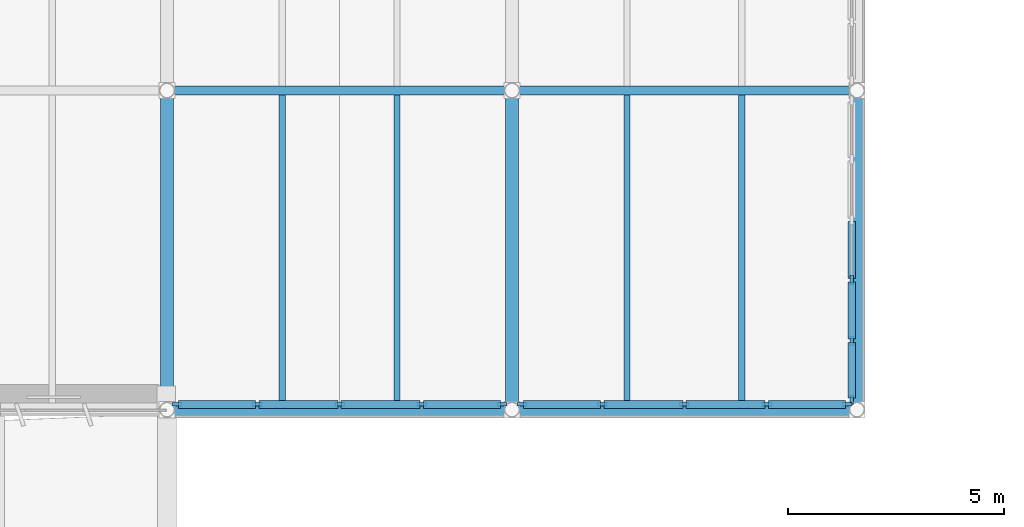
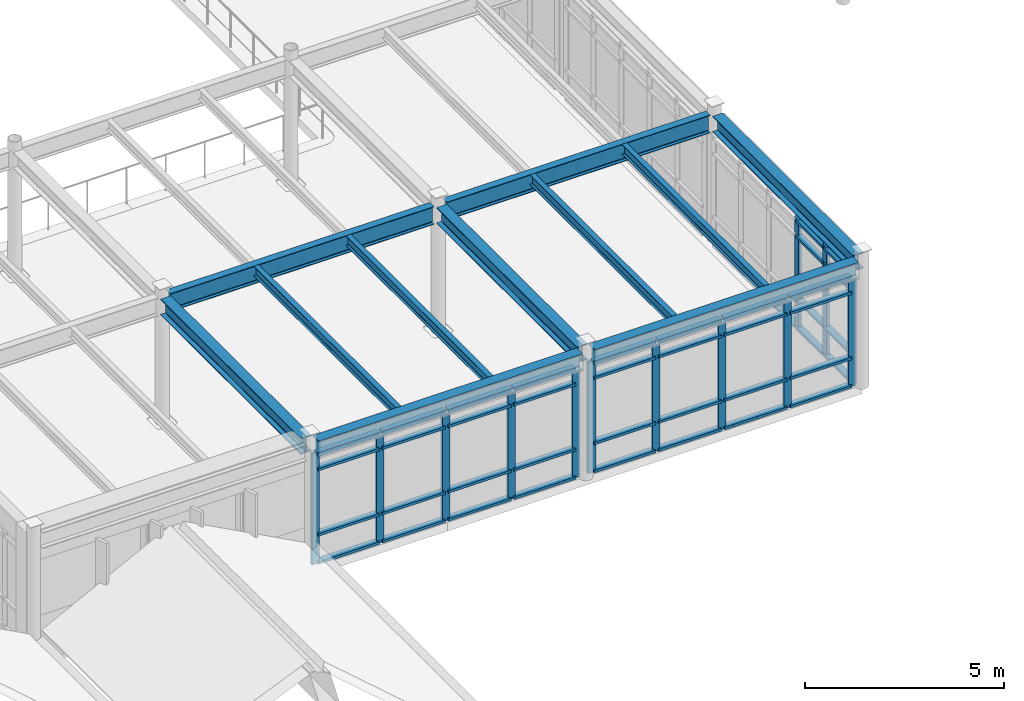
# One storey, part 21 of 63: 54 members, 11 beams, 3 elements without a shape of their own.
"""IFC4 building model written with IfcOpenShell, lengths in metres."""

from ifc_helpers import new_model, si_unit, direction, frame, origin, origin_2d, place, context, subcontext, project, spatial, rectangle, i_section, extrude, material, layer, layer_set, material_profile, profile_set, type_object, element, aggregate, save


model = new_model("IFC4")

# Units and contexts
model_context = context("Model", 3, precision=1e-05, world=origin(), true_north=direction((0.0, 1.0)))
body_context = subcontext(model_context, "Body", "Model", "MODEL_VIEW")
ifc_project = project(units=[si_unit("LENGTHUNIT", "METRE"), si_unit("AREAUNIT", "SQUARE_METRE"), si_unit("VOLUMEUNIT", "CUBIC_METRE"), si_unit("PLANEANGLEUNIT", "RADIAN"), si_unit("MASSUNIT", "GRAM", prefix="KILO")], contexts=[model_context])

# Site, building, storey
site_placement = place(None, origin())
site = spatial("IfcSite", under=ifc_project, at=site_placement, CompositionType="ELEMENT")
building_placement = place(site_placement, origin())
building = spatial("IfcBuilding", under=site, at=building_placement, Name="Valkorina Park Police Headquarters", CompositionType="ELEMENT")
storey_placement = place(building_placement, frame((0.0, 0.0, 9.89990234375)))
storey = spatial("IfcBuildingStorey", under=building, at=storey_placement, Name="L03", CompositionType="ELEMENT", Elevation=9.89990234375)

# Beams
ifc_material_1 = material(Name="Steel S355", Category="steel")
ifc_material_profile_1 = material_profile(ifc_material_1, i_section(OverallWidth=0.300048828125, OverallDepth=0.489990234375, WebThickness=0.011962890625, FlangeThickness=0.02294921875, FilletRadius=0.027099609375, at=origin_2d()), Name="HEA 500")
ifc_profile_set_1 = profile_set([ifc_material_profile_1], Name="Steel S355")
beam_type_1 = type_object("IfcBeamType", Name="BM-S355-HEA500-BM", PredefinedType="BEAM", material=ifc_profile_set_1)
for number, where, z_axis, x_axis, name in (
    (1, (64.800048828125, 22.377685546875, 3.675048828125), (0.0, 1.0, 0.0), (-1.0, 0.0, 0.0), "L03 Framing Beam 2011"),
    (2, (72.800048828125, 22.377685546875, 3.675048828125), (0.0, 1.0, 0.0), (-1.0, 0.0, 0.0), "L03 Framing Beam 2026"),
):
    element("IfcBeam", number, at=place(storey_placement, frame(where, z_axis=z_axis, x_axis=x_axis)), inside=storey, type_object=beam_type_1, Name=name, PredefinedType="BEAM", context=body_context, shape_type="SweptSolid", body=[
        extrude(i_section(OverallWidth=0.300048828125, OverallDepth=0.489990234375, WebThickness=0.011962890625, FlangeThickness=0.02294921875, FilletRadius=0.027099609375, at=origin_2d()), origin(), (0.0, 0.0, 1.0), 7.04443359375),
    ])
ifc_material_profile_2 = material_profile(ifc_material_1, i_section(OverallWidth=0.300048828125, OverallDepth=0.489990234375, WebThickness=0.011962890625, FlangeThickness=0.02294921875, FilletRadius=0.027099609375, at=origin_2d()), Name="HEA 500")
ifc_profile_set_2 = profile_set([ifc_material_profile_2], Name="Steel S355")
beam_type_2 = type_object("IfcBeamType", Name="BM-S355-HEA500-SPN", PredefinedType="SPANDREL", material=ifc_profile_set_2)
for number, where, z_axis, x_axis, name in (
    (3, (64.977783203125, 22.199951171875, 3.675048828125), (1.0, 0.0, 0.0), (0.0, 1.0, 0.0), "L03 Framing Beam 1844"),
    (4, (72.977783203125, 22.199951171875, 3.675048828125), (1.0, 0.0, 0.0), (0.0, 1.0, 0.0), "L03 Framing Beam 1845"),
):
    element("IfcBeam", number, at=place(storey_placement, frame(where, z_axis=z_axis, x_axis=x_axis)), inside=storey, type_object=beam_type_2, Name=name, PredefinedType="SPANDREL", context=body_context, shape_type="SweptSolid", body=[
        extrude(i_section(OverallWidth=0.300048828125, OverallDepth=0.489990234375, WebThickness=0.011962890625, FlangeThickness=0.02294921875, FilletRadius=0.027099609375, at=origin_2d()), origin(), (0.0, 0.0, 1.0), 7.64453125),
    ])
beam_placement = place(storey_placement, frame((80.800048828125, 22.377685546875, 3.675048828125), z_axis=(0.0, 1.0, 0.0), x_axis=(-1.0, 0.0, 0.0)))
element("IfcBeam", 5, at=beam_placement, inside=storey, type_object=beam_type_2, Name="L03 Framing Beam 2041", PredefinedType="SPANDREL", context=body_context, shape_type="SweptSolid", body=[
    extrude(i_section(OverallWidth=0.300048828125, OverallDepth=0.489990234375, WebThickness=0.011962890625, FlangeThickness=0.02294921875, FilletRadius=0.027099609375, at=origin_2d()), origin(), (0.0, 0.0, 1.0), 7.04443359375),
])
ifc_material_profile_3 = material_profile(ifc_material_1, i_section(OverallWidth=0.14990234375, OverallDepth=0.300048828125, WebThickness=0.007080078125, FlangeThickness=0.0107421875, FilletRadius=0.014892578125, at=origin_2d()), Name="IPE 300")
ifc_profile_set_3 = profile_set([ifc_material_profile_3], Name="Steel S355")
beam_type_3 = type_object("IfcBeamType", Name="BM-S355-IPE300-JST", PredefinedType="JOIST", material=ifc_profile_set_3)
for number, where, z_axis, x_axis, name in (
    (6, (67.466796875, 22.35009765625, 3.77001953125), (0.0, 1.0, 0.0), (-1.0, 0.0, 0.0), "L03 Framing Beam 2012"),
    (7, (70.13330078125, 22.35009765625, 3.77001953125), (0.0, 1.0, 0.0), (-1.0, 0.0, 0.0), "L03 Framing Beam 2013"),
    (8, (75.466796875, 22.35009765625, 3.77001953125), (0.0, 1.0, 0.0), (-1.0, 0.0, 0.0), "L03 Framing Beam 2027"),
    (9, (78.13330078125, 22.35009765625, 3.77001953125), (0.0, 1.0, 0.0), (-1.0, 0.0, 0.0), "L03 Framing Beam 2028"),
):
    element("IfcBeam", number, at=place(storey_placement, frame(where, z_axis=z_axis, x_axis=x_axis)), inside=storey, type_object=beam_type_3, Name=name, PredefinedType="JOIST", context=body_context, shape_type="SweptSolid", body=[
        extrude(i_section(OverallWidth=0.14990234375, OverallDepth=0.300048828125, WebThickness=0.007080078125, FlangeThickness=0.0107421875, FilletRadius=0.014892578125, at=origin_2d()), origin(), (0.0, 0.0, 1.0), 7.14501953125),
    ])
ifc_material_profile_4 = material_profile(ifc_material_1, i_section(OverallWidth=0.2099609375, OverallDepth=0.550048828125, WebThickness=0.010986328125, FlangeThickness=0.01708984375, FilletRadius=0.02392578125, at=origin_2d()), Name="IPE 550")
ifc_profile_set_4 = profile_set([ifc_material_profile_4], Name="Steel S355")
beam_type_4 = type_object("IfcBeamType", Name="BM-S355-IPE550-BM", PredefinedType="BEAM", material=ifc_profile_set_4)
for number, where, z_axis, x_axis, name in (
    (10, (64.977783203125, 29.60009765625, 3.64501953125), (1.0, 0.0, 0.0), (0.0, 1.0, 0.0), "L03 Framing Beam 1847"),
    (11, (72.977783203125, 29.60009765625, 3.64501953125), (1.0, 0.0, 0.0), (0.0, 1.0, 0.0), "L03 Framing Beam 1848"),
):
    element("IfcBeam", number, at=place(storey_placement, frame(where, z_axis=z_axis, x_axis=x_axis)), inside=storey, type_object=beam_type_4, Name=name, PredefinedType="BEAM", context=body_context, shape_type="SweptSolid", body=[
        extrude(i_section(OverallWidth=0.2099609375, OverallDepth=0.550048828125, WebThickness=0.010986328125, FlangeThickness=0.01708984375, FilletRadius=0.02392578125, at=origin_2d()), origin(), (0.0, 0.0, 1.0), 7.64453125),
    ])

# Curtain wall, members
ifc_material_2 = material(Name="Thermally broken aluminium AW-6060", Category="aluminium")
ifc_layer_1 = layer(ifc_material_2, 0.18994140625)
ifc_layer_set_1 = layer_set([ifc_layer_1], Name="Thermally broken aluminium AW-6060")
curtain_wall_type_1 = type_object("IfcCurtainWallType", Name="CW-V4-7020x3360", PredefinedType="NOTDEFINED", material=ifc_layer_set_1)
curtain_wall_1_placement = place(storey_placement, origin())
curtain_wall_1 = element("IfcCurtainWall", 12, at=curtain_wall_1_placement, inside=storey, type_object=curtain_wall_type_1, Name="L03 Unitised Curtain Wall 024", PredefinedType="NOTDEFINED")
ifc_material_profile_5 = material_profile(ifc_material_2, rectangle(XDim=0.080078125, YDim=0.219970703125, at=origin_2d()), Name="CWM-03 80x220")
ifc_profile_set_5 = profile_set([ifc_material_profile_5], Name="Thermally broken aluminium AW-6060")
member_type_1 = type_object("IfcMemberType", Name="CWM-80x220", PredefinedType="MULLION", material=ifc_profile_set_5)
member_1_placement = place(storey_placement, frame((80.679931640625, 25.197509765625, 0.0), z_axis=(0.0, 0.0, 1.0), x_axis=(1.0, 0.0, 0.0)))
member_1 = element("IfcMember", 13, at=member_1_placement, type_object=member_type_1, Name="CW-V4-702-336 mullion 4", PredefinedType="MULLION", context=body_context, shape_type="SweptSolid", body=[
    extrude(rectangle(XDim=0.080078125, YDim=0.219970703125, at=origin_2d()), origin(), (0.0, 0.0, 1.0), 3.360107421875),
])
member_2_placement = place(storey_placement, frame((80.679931640625, 23.792724609375, 0.0), z_axis=(0.0, 0.0, 1.0), x_axis=(1.0, 0.0, 0.0)))
member_2 = element("IfcMember", 14, at=member_2_placement, type_object=member_type_1, Name="CW-V4-702-336 mullion 5", PredefinedType="MULLION", context=body_context, shape_type="SweptSolid", body=[
    extrude(rectangle(XDim=0.080078125, YDim=0.219970703125, at=origin_2d()), origin(), (0.0, 0.0, 1.0), 3.360107421875),
])
member_3_placement = place(storey_placement, frame((80.679931640625, 22.427734375, 0.0), z_axis=(0.0, 0.0, 1.0), x_axis=(1.0, 0.0, 0.0)))
member_3 = element("IfcMember", 15, at=member_3_placement, type_object=member_type_1, Name="CW-V4-702-336 mullion 6", PredefinedType="MULLION", context=body_context, shape_type="SweptSolid", body=[
    extrude(rectangle(XDim=0.080078125, YDim=0.219970703125, at=origin_2d()), origin(), (0.0, 0.0, 1.0), 3.360107421875),
])

ifc_layer_2 = layer(ifc_material_2, 0.18994140625)
ifc_layer_set_2 = layer_set([ifc_layer_2], Name="Thermally broken aluminium AW-6060")
curtain_wall_type_2 = type_object("IfcCurtainWallType", Name="CW-V4-7620x3420", PredefinedType="NOTDEFINED", material=ifc_layer_set_2)
curtain_wall_2_placement = place(storey_placement, origin())
curtain_wall_2 = element("IfcCurtainWall", 16, at=curtain_wall_2_placement, inside=storey, type_object=curtain_wall_type_2, Name="L03 Unitised Curtain Wall 025", PredefinedType="NOTDEFINED")
member_4_placement = place(storey_placement, frame((80.572265625, 22.320068359375, 0.0), z_axis=(0.0, 0.0, 1.0), x_axis=(0.0, -1.0, 0.0)))
member_4 = element("IfcMember", 17, at=member_4_placement, type_object=member_type_1, Name="CW-V4-762-342 mullion 1", PredefinedType="MULLION", context=body_context, shape_type="SweptSolid", body=[
    extrude(rectangle(XDim=0.080078125, YDim=0.219970703125, at=origin_2d()), origin(), (0.0, 0.0, 1.0), 3.420166015625),
])
member_5_placement = place(storey_placement, frame((78.7060546875, 22.320068359375, 0.0), z_axis=(0.0, 0.0, 1.0), x_axis=(0.0, -1.0, 0.0)))
member_5 = element("IfcMember", 18, at=member_5_placement, type_object=member_type_1, Name="CW-V4-762-342 mullion 2", PredefinedType="MULLION", context=body_context, shape_type="SweptSolid", body=[
    extrude(rectangle(XDim=0.080078125, YDim=0.219970703125, at=origin_2d()), origin(), (0.0, 0.0, 1.0), 3.420166015625),
])
member_6_placement = place(storey_placement, frame((76.800048828125, 22.320068359375, 0.0), z_axis=(0.0, 0.0, 1.0), x_axis=(0.0, -1.0, 0.0)))
member_6 = element("IfcMember", 19, at=member_6_placement, type_object=member_type_1, Name="CW-V4-762-342 mullion 3", PredefinedType="MULLION", context=body_context, shape_type="SweptSolid", body=[
    extrude(rectangle(XDim=0.080078125, YDim=0.219970703125, at=origin_2d()), origin(), (0.0, 0.0, 1.0), 3.420166015625),
])
member_7_placement = place(storey_placement, frame((74.893798828125, 22.320068359375, 0.0), z_axis=(0.0, 0.0, 1.0), x_axis=(0.0, -1.0, 0.0)))
member_7 = element("IfcMember", 20, at=member_7_placement, type_object=member_type_1, Name="CW-V4-762-342 mullion 4", PredefinedType="MULLION", context=body_context, shape_type="SweptSolid", body=[
    extrude(rectangle(XDim=0.080078125, YDim=0.219970703125, at=origin_2d()), origin(), (0.0, 0.0, 1.0), 3.420166015625),
])
member_8_placement = place(storey_placement, frame((73.02783203125, 22.320068359375, 0.0), z_axis=(0.0, 0.0, 1.0), x_axis=(0.0, -1.0, 0.0)))
member_8 = element("IfcMember", 21, at=member_8_placement, type_object=member_type_1, Name="CW-V4-762-342 mullion 5", PredefinedType="MULLION", context=body_context, shape_type="SweptSolid", body=[
    extrude(rectangle(XDim=0.080078125, YDim=0.219970703125, at=origin_2d()), origin(), (0.0, 0.0, 1.0), 3.420166015625),
])

curtain_wall_3_placement = place(storey_placement, origin())
curtain_wall_3 = element("IfcCurtainWall", 22, at=curtain_wall_3_placement, inside=storey, type_object=curtain_wall_type_2, Name="L03 Unitised Curtain Wall 026", PredefinedType="NOTDEFINED")
member_9_placement = place(storey_placement, frame((72.572265625, 22.320068359375, 0.0), z_axis=(0.0, 0.0, 1.0), x_axis=(0.0, -1.0, 0.0)))
member_9 = element("IfcMember", 23, at=member_9_placement, type_object=member_type_1, Name="CW-V4-762-342 mullion 1", PredefinedType="MULLION", context=body_context, shape_type="SweptSolid", body=[
    extrude(rectangle(XDim=0.080078125, YDim=0.219970703125, at=origin_2d()), origin(), (0.0, 0.0, 1.0), 3.420166015625),
])
member_10_placement = place(storey_placement, frame((70.7060546875, 22.320068359375, 0.0), z_axis=(0.0, 0.0, 1.0), x_axis=(0.0, -1.0, 0.0)))
member_10 = element("IfcMember", 24, at=member_10_placement, type_object=member_type_1, Name="CW-V4-762-342 mullion 2", PredefinedType="MULLION", context=body_context, shape_type="SweptSolid", body=[
    extrude(rectangle(XDim=0.080078125, YDim=0.219970703125, at=origin_2d()), origin(), (0.0, 0.0, 1.0), 3.420166015625),
])
member_11_placement = place(storey_placement, frame((68.800048828125, 22.320068359375, 0.0), z_axis=(0.0, 0.0, 1.0), x_axis=(0.0, -1.0, 0.0)))
member_11 = element("IfcMember", 25, at=member_11_placement, type_object=member_type_1, Name="CW-V4-762-342 mullion 3", PredefinedType="MULLION", context=body_context, shape_type="SweptSolid", body=[
    extrude(rectangle(XDim=0.080078125, YDim=0.219970703125, at=origin_2d()), origin(), (0.0, 0.0, 1.0), 3.420166015625),
])
member_12_placement = place(storey_placement, frame((66.893798828125, 22.320068359375, 0.0), z_axis=(0.0, 0.0, 1.0), x_axis=(0.0, -1.0, 0.0)))
member_12 = element("IfcMember", 26, at=member_12_placement, type_object=member_type_1, Name="CW-V4-762-342 mullion 4", PredefinedType="MULLION", context=body_context, shape_type="SweptSolid", body=[
    extrude(rectangle(XDim=0.080078125, YDim=0.219970703125, at=origin_2d()), origin(), (0.0, 0.0, 1.0), 3.420166015625),
])
member_13_placement = place(storey_placement, frame((65.02783203125, 22.320068359375, 0.0), z_axis=(0.0, 0.0, 1.0), x_axis=(0.0, -1.0, 0.0)))
member_13 = element("IfcMember", 27, at=member_13_placement, type_object=member_type_1, Name="CW-V4-762-342 mullion 5", PredefinedType="MULLION", context=body_context, shape_type="SweptSolid", body=[
    extrude(rectangle(XDim=0.080078125, YDim=0.219970703125, at=origin_2d()), origin(), (0.0, 0.0, 1.0), 3.420166015625),
])

# Member
ifc_material_profile_6 = material_profile(ifc_material_2, rectangle(XDim=0.179931640625, YDim=0.080078125, at=origin_2d()), Name="CWT-03 180x80")
ifc_profile_set_6 = profile_set([ifc_material_profile_6], Name="Thermally broken aluminium AW-6060")
member_type_2 = type_object("IfcMemberType", Name="CWT-180x80", PredefinedType="USERDEFINED", material=ifc_profile_set_6)
member_14_placement = place(storey_placement, frame((80.679931640625, 26.5625, 0.0400390625), z_axis=(0.0, -1.0, 0.0), x_axis=(1.0, 0.0, 0.0)))
member_14 = element("IfcMember", 28, at=member_14_placement, type_object=member_type_2, Name="CW-V4-702-336 transom 3.1", ObjectType="TRANSOM", PredefinedType="USERDEFINED", context=body_context, shape_type="SweptSolid", body=[
    extrude(rectangle(XDim=0.179931640625, YDim=0.080078125, at=origin_2d()), origin(), (0.0, 0.0, 1.0), 1.324951171875),
])

member_15_placement = place(storey_placement, frame((80.679931640625, 25.157470703125, 0.0400390625), z_axis=(0.0, -1.0, 0.0), x_axis=(1.0, 0.0, 0.0)))
member_15 = element("IfcMember", 29, at=member_15_placement, type_object=member_type_2, Name="CW-V4-702-336 transom 4.1", ObjectType="TRANSOM", PredefinedType="USERDEFINED", context=body_context, shape_type="SweptSolid", body=[
    extrude(rectangle(XDim=0.179931640625, YDim=0.080078125, at=origin_2d()), origin(), (0.0, 0.0, 1.0), 1.32470703125),
])

member_16_placement = place(storey_placement, frame((80.679931640625, 25.157470703125, 0.900146484375), z_axis=(0.0, -1.0, 0.0), x_axis=(1.0, 0.0, 0.0)))
member_16 = element("IfcMember", 30, at=member_16_placement, type_object=member_type_2, Name="CW-V4-702-336 transom 4.2", ObjectType="TRANSOM", PredefinedType="USERDEFINED", context=body_context, shape_type="SweptSolid", body=[
    extrude(rectangle(XDim=0.179931640625, YDim=0.080078125, at=origin_2d()), origin(), (0.0, 0.0, 1.0), 1.32470703125),
])

member_17_placement = place(storey_placement, frame((80.679931640625, 25.157470703125, 2.840087890625), z_axis=(0.0, -1.0, 0.0), x_axis=(1.0, 0.0, 0.0)))
member_17 = element("IfcMember", 31, at=member_17_placement, type_object=member_type_2, Name="CW-V4-702-336 transom 4.3", ObjectType="TRANSOM", PredefinedType="USERDEFINED", context=body_context, shape_type="SweptSolid", body=[
    extrude(rectangle(XDim=0.179931640625, YDim=0.080078125, at=origin_2d()), origin(), (0.0, 0.0, 1.0), 1.32470703125),
])

member_18_placement = place(storey_placement, frame((80.679931640625, 25.157470703125, 3.320068359375), z_axis=(0.0, -1.0, 0.0), x_axis=(1.0, 0.0, 0.0)))
member_18 = element("IfcMember", 32, at=member_18_placement, type_object=member_type_2, Name="CW-V4-702-336 transom 4.4", ObjectType="TRANSOM", PredefinedType="USERDEFINED", context=body_context, shape_type="SweptSolid", body=[
    extrude(rectangle(XDim=0.179931640625, YDim=0.080078125, at=origin_2d()), origin(), (0.0, 0.0, 1.0), 1.32470703125),
])

member_19_placement = place(storey_placement, frame((80.679931640625, 23.752685546875, 0.0400390625), z_axis=(0.0, -1.0, 0.0), x_axis=(1.0, 0.0, 0.0)))
member_19 = element("IfcMember", 33, at=member_19_placement, type_object=member_type_2, Name="CW-V4-702-336 transom 5.1", ObjectType="TRANSOM", PredefinedType="USERDEFINED", context=body_context, shape_type="SweptSolid", body=[
    extrude(rectangle(XDim=0.179931640625, YDim=0.080078125, at=origin_2d()), origin(), (0.0, 0.0, 1.0), 1.284912109375),
])

member_20_placement = place(storey_placement, frame((80.679931640625, 23.752685546875, 0.900146484375), z_axis=(0.0, -1.0, 0.0), x_axis=(1.0, 0.0, 0.0)))
member_20 = element("IfcMember", 34, at=member_20_placement, type_object=member_type_2, Name="CW-V4-702-336 transom 5.2", ObjectType="TRANSOM", PredefinedType="USERDEFINED", context=body_context, shape_type="SweptSolid", body=[
    extrude(rectangle(XDim=0.179931640625, YDim=0.080078125, at=origin_2d()), origin(), (0.0, 0.0, 1.0), 1.284912109375),
])

member_21_placement = place(storey_placement, frame((80.679931640625, 23.752685546875, 2.840087890625), z_axis=(0.0, -1.0, 0.0), x_axis=(1.0, 0.0, 0.0)))
member_21 = element("IfcMember", 35, at=member_21_placement, type_object=member_type_2, Name="CW-V4-702-336 transom 5.3", ObjectType="TRANSOM", PredefinedType="USERDEFINED", context=body_context, shape_type="SweptSolid", body=[
    extrude(rectangle(XDim=0.179931640625, YDim=0.080078125, at=origin_2d()), origin(), (0.0, 0.0, 1.0), 1.284912109375),
])

member_22_placement = place(storey_placement, frame((80.679931640625, 23.752685546875, 3.320068359375), z_axis=(0.0, -1.0, 0.0), x_axis=(1.0, 0.0, 0.0)))
member_22 = element("IfcMember", 36, at=member_22_placement, type_object=member_type_2, Name="CW-V4-702-336 transom 5.4", ObjectType="TRANSOM", PredefinedType="USERDEFINED", context=body_context, shape_type="SweptSolid", body=[
    extrude(rectangle(XDim=0.179931640625, YDim=0.080078125, at=origin_2d()), origin(), (0.0, 0.0, 1.0), 1.284912109375),
])

aggregate(curtain_wall_1, [member_1, member_2, member_3, member_14, member_15, member_16, member_17, member_18, member_19, member_20, member_21, member_22])

member_23_placement = place(storey_placement, frame((80.5322265625, 22.320068359375, 0.0400390625), z_axis=(-1.0, 0.0, 0.0), x_axis=(0.0, -1.0, 0.0)))
member_23 = element("IfcMember", 37, at=member_23_placement, type_object=member_type_2, Name="CW-V4-762-342 transom 1.1", ObjectType="TRANSOM", PredefinedType="USERDEFINED", context=body_context, shape_type="SweptSolid", body=[
    extrude(rectangle(XDim=0.179931640625, YDim=0.080078125, at=origin_2d()), origin(), (0.0, 0.0, 1.0), 1.7861328125),
])

member_24_placement = place(storey_placement, frame((80.5322265625, 22.320068359375, 0.900146484375), z_axis=(-1.0, 0.0, 0.0), x_axis=(0.0, -1.0, 0.0)))
member_24 = element("IfcMember", 38, at=member_24_placement, type_object=member_type_2, Name="CW-V4-762-342 transom 1.2", ObjectType="TRANSOM", PredefinedType="USERDEFINED", context=body_context, shape_type="SweptSolid", body=[
    extrude(rectangle(XDim=0.179931640625, YDim=0.080078125, at=origin_2d()), origin(), (0.0, 0.0, 1.0), 1.7861328125),
])

member_25_placement = place(storey_placement, frame((80.5322265625, 22.320068359375, 2.900146484375), z_axis=(-1.0, 0.0, 0.0), x_axis=(0.0, -1.0, 0.0)))
member_25 = element("IfcMember", 39, at=member_25_placement, type_object=member_type_2, Name="CW-V4-762-342 transom 1.3", ObjectType="TRANSOM", PredefinedType="USERDEFINED", context=body_context, shape_type="SweptSolid", body=[
    extrude(rectangle(XDim=0.179931640625, YDim=0.080078125, at=origin_2d()), origin(), (0.0, 0.0, 1.0), 1.7861328125),
])

member_26_placement = place(storey_placement, frame((80.5322265625, 22.320068359375, 3.380126953125), z_axis=(-1.0, 0.0, 0.0), x_axis=(0.0, -1.0, 0.0)))
member_26 = element("IfcMember", 40, at=member_26_placement, type_object=member_type_2, Name="CW-V4-762-342 transom 1.4", ObjectType="TRANSOM", PredefinedType="USERDEFINED", context=body_context, shape_type="SweptSolid", body=[
    extrude(rectangle(XDim=0.179931640625, YDim=0.080078125, at=origin_2d()), origin(), (0.0, 0.0, 1.0), 1.7861328125),
])

member_27_placement = place(storey_placement, frame((78.666015625, 22.320068359375, 0.0400390625), z_axis=(-1.0, 0.0, 0.0), x_axis=(0.0, -1.0, 0.0)))
member_27 = element("IfcMember", 41, at=member_27_placement, type_object=member_type_2, Name="CW-V4-762-342 transom 2.1", ObjectType="TRANSOM", PredefinedType="USERDEFINED", context=body_context, shape_type="SweptSolid", body=[
    extrude(rectangle(XDim=0.179931640625, YDim=0.080078125, at=origin_2d()), origin(), (0.0, 0.0, 1.0), 1.825927734375),
])

member_28_placement = place(storey_placement, frame((78.666015625, 22.320068359375, 0.900146484375), z_axis=(-1.0, 0.0, 0.0), x_axis=(0.0, -1.0, 0.0)))
member_28 = element("IfcMember", 42, at=member_28_placement, type_object=member_type_2, Name="CW-V4-762-342 transom 2.2", ObjectType="TRANSOM", PredefinedType="USERDEFINED", context=body_context, shape_type="SweptSolid", body=[
    extrude(rectangle(XDim=0.179931640625, YDim=0.080078125, at=origin_2d()), origin(), (0.0, 0.0, 1.0), 1.825927734375),
])

member_29_placement = place(storey_placement, frame((78.666015625, 22.320068359375, 2.900146484375), z_axis=(-1.0, 0.0, 0.0), x_axis=(0.0, -1.0, 0.0)))
member_29 = element("IfcMember", 43, at=member_29_placement, type_object=member_type_2, Name="CW-V4-762-342 transom 2.3", ObjectType="TRANSOM", PredefinedType="USERDEFINED", context=body_context, shape_type="SweptSolid", body=[
    extrude(rectangle(XDim=0.179931640625, YDim=0.080078125, at=origin_2d()), origin(), (0.0, 0.0, 1.0), 1.825927734375),
])

member_30_placement = place(storey_placement, frame((78.666015625, 22.320068359375, 3.380126953125), z_axis=(-1.0, 0.0, 0.0), x_axis=(0.0, -1.0, 0.0)))
member_30 = element("IfcMember", 44, at=member_30_placement, type_object=member_type_2, Name="CW-V4-762-342 transom 2.4", ObjectType="TRANSOM", PredefinedType="USERDEFINED", context=body_context, shape_type="SweptSolid", body=[
    extrude(rectangle(XDim=0.179931640625, YDim=0.080078125, at=origin_2d()), origin(), (0.0, 0.0, 1.0), 1.825927734375),
])

member_31_placement = place(storey_placement, frame((76.760009765625, 22.320068359375, 0.0400390625), z_axis=(-1.0, 0.0, 0.0), x_axis=(0.0, -1.0, 0.0)))
member_31 = element("IfcMember", 45, at=member_31_placement, type_object=member_type_2, Name="CW-V4-762-342 transom 3.1", ObjectType="TRANSOM", PredefinedType="USERDEFINED", context=body_context, shape_type="SweptSolid", body=[
    extrude(rectangle(XDim=0.179931640625, YDim=0.080078125, at=origin_2d()), origin(), (0.0, 0.0, 1.0), 1.826171875),
])

member_32_placement = place(storey_placement, frame((76.760009765625, 22.320068359375, 0.900146484375), z_axis=(-1.0, 0.0, 0.0), x_axis=(0.0, -1.0, 0.0)))
member_32 = element("IfcMember", 46, at=member_32_placement, type_object=member_type_2, Name="CW-V4-762-342 transom 3.2", ObjectType="TRANSOM", PredefinedType="USERDEFINED", context=body_context, shape_type="SweptSolid", body=[
    extrude(rectangle(XDim=0.179931640625, YDim=0.080078125, at=origin_2d()), origin(), (0.0, 0.0, 1.0), 1.826171875),
])

member_33_placement = place(storey_placement, frame((76.760009765625, 22.320068359375, 2.900146484375), z_axis=(-1.0, 0.0, 0.0), x_axis=(0.0, -1.0, 0.0)))
member_33 = element("IfcMember", 47, at=member_33_placement, type_object=member_type_2, Name="CW-V4-762-342 transom 3.3", ObjectType="TRANSOM", PredefinedType="USERDEFINED", context=body_context, shape_type="SweptSolid", body=[
    extrude(rectangle(XDim=0.179931640625, YDim=0.080078125, at=origin_2d()), origin(), (0.0, 0.0, 1.0), 1.826171875),
])

member_34_placement = place(storey_placement, frame((76.760009765625, 22.320068359375, 3.380126953125), z_axis=(-1.0, 0.0, 0.0), x_axis=(0.0, -1.0, 0.0)))
member_34 = element("IfcMember", 48, at=member_34_placement, type_object=member_type_2, Name="CW-V4-762-342 transom 3.4", ObjectType="TRANSOM", PredefinedType="USERDEFINED", context=body_context, shape_type="SweptSolid", body=[
    extrude(rectangle(XDim=0.179931640625, YDim=0.080078125, at=origin_2d()), origin(), (0.0, 0.0, 1.0), 1.826171875),
])

member_35_placement = place(storey_placement, frame((74.85400390625, 22.320068359375, 0.0400390625), z_axis=(-1.0, 0.0, 0.0), x_axis=(0.0, -1.0, 0.0)))
member_35 = element("IfcMember", 49, at=member_35_placement, type_object=member_type_2, Name="CW-V4-762-342 transom 4.1", ObjectType="TRANSOM", PredefinedType="USERDEFINED", context=body_context, shape_type="SweptSolid", body=[
    extrude(rectangle(XDim=0.179931640625, YDim=0.080078125, at=origin_2d()), origin(), (0.0, 0.0, 1.0), 1.7861328125),
])

member_36_placement = place(storey_placement, frame((74.85400390625, 22.320068359375, 0.900146484375), z_axis=(-1.0, 0.0, 0.0), x_axis=(0.0, -1.0, 0.0)))
member_36 = element("IfcMember", 50, at=member_36_placement, type_object=member_type_2, Name="CW-V4-762-342 transom 4.2", ObjectType="TRANSOM", PredefinedType="USERDEFINED", context=body_context, shape_type="SweptSolid", body=[
    extrude(rectangle(XDim=0.179931640625, YDim=0.080078125, at=origin_2d()), origin(), (0.0, 0.0, 1.0), 1.7861328125),
])

member_37_placement = place(storey_placement, frame((74.85400390625, 22.320068359375, 2.900146484375), z_axis=(-1.0, 0.0, 0.0), x_axis=(0.0, -1.0, 0.0)))
member_37 = element("IfcMember", 51, at=member_37_placement, type_object=member_type_2, Name="CW-V4-762-342 transom 4.3", ObjectType="TRANSOM", PredefinedType="USERDEFINED", context=body_context, shape_type="SweptSolid", body=[
    extrude(rectangle(XDim=0.179931640625, YDim=0.080078125, at=origin_2d()), origin(), (0.0, 0.0, 1.0), 1.7861328125),
])

member_38_placement = place(storey_placement, frame((74.85400390625, 22.320068359375, 3.380126953125), z_axis=(-1.0, 0.0, 0.0), x_axis=(0.0, -1.0, 0.0)))
member_38 = element("IfcMember", 52, at=member_38_placement, type_object=member_type_2, Name="CW-V4-762-342 transom 4.4", ObjectType="TRANSOM", PredefinedType="USERDEFINED", context=body_context, shape_type="SweptSolid", body=[
    extrude(rectangle(XDim=0.179931640625, YDim=0.080078125, at=origin_2d()), origin(), (0.0, 0.0, 1.0), 1.7861328125),
])

aggregate(curtain_wall_2, [member_4, member_5, member_6, member_7, member_8, member_23, member_24, member_25, member_26, member_27, member_28, member_29, member_30, member_31, member_32, member_33, member_34, member_35, member_36, member_37, member_38])

member_39_placement = place(storey_placement, frame((72.5322265625, 22.320068359375, 0.0400390625), z_axis=(-1.0, 0.0, 0.0), x_axis=(0.0, -1.0, 0.0)))
member_39 = element("IfcMember", 53, at=member_39_placement, type_object=member_type_2, Name="CW-V4-762-342 transom 1.1", ObjectType="TRANSOM", PredefinedType="USERDEFINED", context=body_context, shape_type="SweptSolid", body=[
    extrude(rectangle(XDim=0.179931640625, YDim=0.080078125, at=origin_2d()), origin(), (0.0, 0.0, 1.0), 1.7861328125),
])

member_40_placement = place(storey_placement, frame((72.5322265625, 22.320068359375, 0.900146484375), z_axis=(-1.0, 0.0, 0.0), x_axis=(0.0, -1.0, 0.0)))
member_40 = element("IfcMember", 54, at=member_40_placement, type_object=member_type_2, Name="CW-V4-762-342 transom 1.2", ObjectType="TRANSOM", PredefinedType="USERDEFINED", context=body_context, shape_type="SweptSolid", body=[
    extrude(rectangle(XDim=0.179931640625, YDim=0.080078125, at=origin_2d()), origin(), (0.0, 0.0, 1.0), 1.7861328125),
])

member_41_placement = place(storey_placement, frame((72.5322265625, 22.320068359375, 2.900146484375), z_axis=(-1.0, 0.0, 0.0), x_axis=(0.0, -1.0, 0.0)))
member_41 = element("IfcMember", 55, at=member_41_placement, type_object=member_type_2, Name="CW-V4-762-342 transom 1.3", ObjectType="TRANSOM", PredefinedType="USERDEFINED", context=body_context, shape_type="SweptSolid", body=[
    extrude(rectangle(XDim=0.179931640625, YDim=0.080078125, at=origin_2d()), origin(), (0.0, 0.0, 1.0), 1.7861328125),
])

member_42_placement = place(storey_placement, frame((72.5322265625, 22.320068359375, 3.380126953125), z_axis=(-1.0, 0.0, 0.0), x_axis=(0.0, -1.0, 0.0)))
member_42 = element("IfcMember", 56, at=member_42_placement, type_object=member_type_2, Name="CW-V4-762-342 transom 1.4", ObjectType="TRANSOM", PredefinedType="USERDEFINED", context=body_context, shape_type="SweptSolid", body=[
    extrude(rectangle(XDim=0.179931640625, YDim=0.080078125, at=origin_2d()), origin(), (0.0, 0.0, 1.0), 1.7861328125),
])

member_43_placement = place(storey_placement, frame((70.666015625, 22.320068359375, 0.0400390625), z_axis=(-1.0, 0.0, 0.0), x_axis=(0.0, -1.0, 0.0)))
member_43 = element("IfcMember", 57, at=member_43_placement, type_object=member_type_2, Name="CW-V4-762-342 transom 2.1", ObjectType="TRANSOM", PredefinedType="USERDEFINED", context=body_context, shape_type="SweptSolid", body=[
    extrude(rectangle(XDim=0.179931640625, YDim=0.080078125, at=origin_2d()), origin(), (0.0, 0.0, 1.0), 1.825927734375),
])

member_44_placement = place(storey_placement, frame((70.666015625, 22.320068359375, 0.900146484375), z_axis=(-1.0, 0.0, 0.0), x_axis=(0.0, -1.0, 0.0)))
member_44 = element("IfcMember", 58, at=member_44_placement, type_object=member_type_2, Name="CW-V4-762-342 transom 2.2", ObjectType="TRANSOM", PredefinedType="USERDEFINED", context=body_context, shape_type="SweptSolid", body=[
    extrude(rectangle(XDim=0.179931640625, YDim=0.080078125, at=origin_2d()), origin(), (0.0, 0.0, 1.0), 1.825927734375),
])

member_45_placement = place(storey_placement, frame((70.666015625, 22.320068359375, 2.900146484375), z_axis=(-1.0, 0.0, 0.0), x_axis=(0.0, -1.0, 0.0)))
member_45 = element("IfcMember", 59, at=member_45_placement, type_object=member_type_2, Name="CW-V4-762-342 transom 2.3", ObjectType="TRANSOM", PredefinedType="USERDEFINED", context=body_context, shape_type="SweptSolid", body=[
    extrude(rectangle(XDim=0.179931640625, YDim=0.080078125, at=origin_2d()), origin(), (0.0, 0.0, 1.0), 1.825927734375),
])

member_46_placement = place(storey_placement, frame((70.666015625, 22.320068359375, 3.380126953125), z_axis=(-1.0, 0.0, 0.0), x_axis=(0.0, -1.0, 0.0)))
member_46 = element("IfcMember", 60, at=member_46_placement, type_object=member_type_2, Name="CW-V4-762-342 transom 2.4", ObjectType="TRANSOM", PredefinedType="USERDEFINED", context=body_context, shape_type="SweptSolid", body=[
    extrude(rectangle(XDim=0.179931640625, YDim=0.080078125, at=origin_2d()), origin(), (0.0, 0.0, 1.0), 1.825927734375),
])

member_47_placement = place(storey_placement, frame((68.760009765625, 22.320068359375, 0.0400390625), z_axis=(-1.0, 0.0, 0.0), x_axis=(0.0, -1.0, 0.0)))
member_47 = element("IfcMember", 61, at=member_47_placement, type_object=member_type_2, Name="CW-V4-762-342 transom 3.1", ObjectType="TRANSOM", PredefinedType="USERDEFINED", context=body_context, shape_type="SweptSolid", body=[
    extrude(rectangle(XDim=0.179931640625, YDim=0.080078125, at=origin_2d()), origin(), (0.0, 0.0, 1.0), 1.826171875),
])

member_48_placement = place(storey_placement, frame((68.760009765625, 22.320068359375, 0.900146484375), z_axis=(-1.0, 0.0, 0.0), x_axis=(0.0, -1.0, 0.0)))
member_48 = element("IfcMember", 62, at=member_48_placement, type_object=member_type_2, Name="CW-V4-762-342 transom 3.2", ObjectType="TRANSOM", PredefinedType="USERDEFINED", context=body_context, shape_type="SweptSolid", body=[
    extrude(rectangle(XDim=0.179931640625, YDim=0.080078125, at=origin_2d()), origin(), (0.0, 0.0, 1.0), 1.826171875),
])

member_49_placement = place(storey_placement, frame((68.760009765625, 22.320068359375, 2.900146484375), z_axis=(-1.0, 0.0, 0.0), x_axis=(0.0, -1.0, 0.0)))
member_49 = element("IfcMember", 63, at=member_49_placement, type_object=member_type_2, Name="CW-V4-762-342 transom 3.3", ObjectType="TRANSOM", PredefinedType="USERDEFINED", context=body_context, shape_type="SweptSolid", body=[
    extrude(rectangle(XDim=0.179931640625, YDim=0.080078125, at=origin_2d()), origin(), (0.0, 0.0, 1.0), 1.826171875),
])

member_50_placement = place(storey_placement, frame((68.760009765625, 22.320068359375, 3.380126953125), z_axis=(-1.0, 0.0, 0.0), x_axis=(0.0, -1.0, 0.0)))
member_50 = element("IfcMember", 64, at=member_50_placement, type_object=member_type_2, Name="CW-V4-762-342 transom 3.4", ObjectType="TRANSOM", PredefinedType="USERDEFINED", context=body_context, shape_type="SweptSolid", body=[
    extrude(rectangle(XDim=0.179931640625, YDim=0.080078125, at=origin_2d()), origin(), (0.0, 0.0, 1.0), 1.826171875),
])

member_51_placement = place(storey_placement, frame((66.85400390625, 22.320068359375, 0.0400390625), z_axis=(-1.0, 0.0, 0.0), x_axis=(0.0, -1.0, 0.0)))
member_51 = element("IfcMember", 65, at=member_51_placement, type_object=member_type_2, Name="CW-V4-762-342 transom 4.1", ObjectType="TRANSOM", PredefinedType="USERDEFINED", context=body_context, shape_type="SweptSolid", body=[
    extrude(rectangle(XDim=0.179931640625, YDim=0.080078125, at=origin_2d()), origin(), (0.0, 0.0, 1.0), 1.7861328125),
])

member_52_placement = place(storey_placement, frame((66.85400390625, 22.320068359375, 0.900146484375), z_axis=(-1.0, 0.0, 0.0), x_axis=(0.0, -1.0, 0.0)))
member_52 = element("IfcMember", 66, at=member_52_placement, type_object=member_type_2, Name="CW-V4-762-342 transom 4.2", ObjectType="TRANSOM", PredefinedType="USERDEFINED", context=body_context, shape_type="SweptSolid", body=[
    extrude(rectangle(XDim=0.179931640625, YDim=0.080078125, at=origin_2d()), origin(), (0.0, 0.0, 1.0), 1.7861328125),
])

member_53_placement = place(storey_placement, frame((66.85400390625, 22.320068359375, 2.900146484375), z_axis=(-1.0, 0.0, 0.0), x_axis=(0.0, -1.0, 0.0)))
member_53 = element("IfcMember", 67, at=member_53_placement, type_object=member_type_2, Name="CW-V4-762-342 transom 4.3", ObjectType="TRANSOM", PredefinedType="USERDEFINED", context=body_context, shape_type="SweptSolid", body=[
    extrude(rectangle(XDim=0.179931640625, YDim=0.080078125, at=origin_2d()), origin(), (0.0, 0.0, 1.0), 1.7861328125),
])

member_54_placement = place(storey_placement, frame((66.85400390625, 22.320068359375, 3.380126953125), z_axis=(-1.0, 0.0, 0.0), x_axis=(0.0, -1.0, 0.0)))
member_54 = element("IfcMember", 68, at=member_54_placement, type_object=member_type_2, Name="CW-V4-762-342 transom 4.4", ObjectType="TRANSOM", PredefinedType="USERDEFINED", context=body_context, shape_type="SweptSolid", body=[
    extrude(rectangle(XDim=0.179931640625, YDim=0.080078125, at=origin_2d()), origin(), (0.0, 0.0, 1.0), 1.7861328125),
])

aggregate(curtain_wall_3, [member_9, member_10, member_11, member_12, member_13, member_39, member_40, member_41, member_42, member_43, member_44, member_45, member_46, member_47, member_48, member_49, member_50, member_51, member_52, member_53, member_54])

save(model, "model.ifc")
